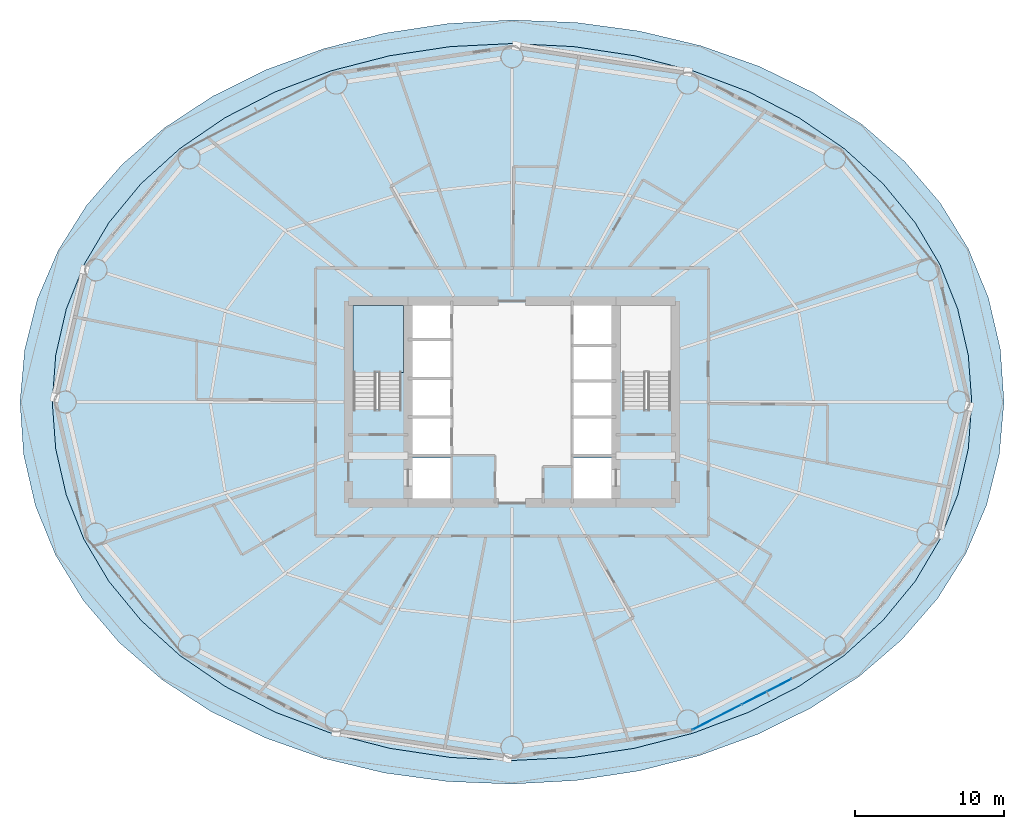
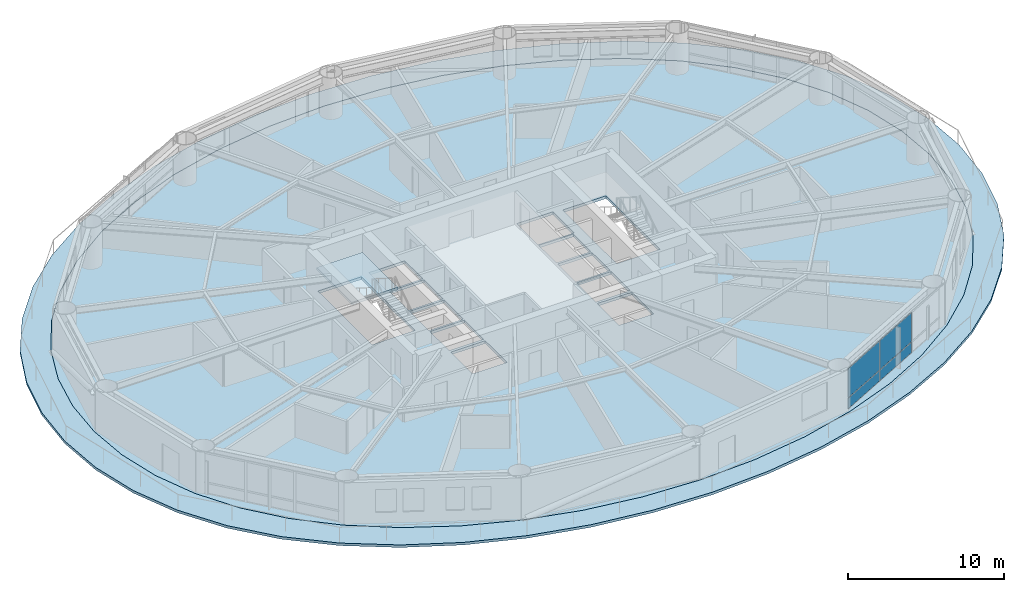
# One storey, part 17 of 27: 4 plates, 3 slabs, 2 elements without a shape of their own.
"""IFC4 building model written with IfcOpenShell, lengths in metres."""

from ifc_helpers import new_model, si_unit, direction, frame, origin, origin_2d, place, context, subcontext, project, spatial, polyline, rectangle, outline, extrude, material, layer, layer_set, type_object, element, aggregate, save


model = new_model("IFC4")

# Units and contexts
model_context = context("Model", 3, precision=1e-05, world=origin(), true_north=direction((0.0, 1.0)))
body_context = subcontext(model_context, "Body", "Model", "MODEL_VIEW")
ifc_project = project(units=[si_unit("LENGTHUNIT", "METRE"), si_unit("AREAUNIT", "SQUARE_METRE"), si_unit("VOLUMEUNIT", "CUBIC_METRE"), si_unit("PLANEANGLEUNIT", "RADIAN"), si_unit("MASSUNIT", "GRAM", prefix="KILO")], contexts=[model_context])

# Site, building, storey
site_placement = place(None, origin())
site = spatial("IfcSite", under=ifc_project, at=site_placement, CompositionType="ELEMENT")
building_placement = place(site_placement, origin())
building = spatial("IfcBuilding", under=site, at=building_placement, Name="Sarneth Arch Tower", CompositionType="ELEMENT")
storey_placement = place(building_placement, frame((0.0, 0.0, 75.0)))
storey = spatial("IfcBuildingStorey", under=building, at=storey_placement, Name="L18", CompositionType="ELEMENT", Elevation=75.0)

# Curtain wall, plates
ifc_material_1 = material(Name="Anodised aluminium Type AA25 and solar-control low-e laminated IGU", Category="aluminium")
ifc_layer_1 = layer(ifc_material_1, 0.159912109375)
ifc_layer_set_1 = layer_set([ifc_layer_1], Name="Anodised aluminium Type AA25 and solar-control low-e laminated IGU")
curtain_wall_type = type_object("IfcCurtainWallType", Name="CW-HOTEL-LOW", PredefinedType="NOTDEFINED", material=ifc_layer_set_1)
curtain_wall_placement = place(storey_placement, origin())
curtain_wall = element("IfcCurtainWall", 1, at=curtain_wall_placement, inside=storey, type_object=curtain_wall_type, Name="L18 Unitised curtain wall facet 14", PredefinedType="NOTDEFINED")
ifc_material_2 = material(Name="Solar-control low-e laminated IGU", Category="glass")
ifc_layer_2 = layer(ifc_material_2, 0.028076171875)
ifc_layer_set_2 = layer_set([ifc_layer_2], Name="Solar-control low-e laminated IGU")
plate_type = type_object("IfcPlateType", Name="CW-PANEL", PredefinedType="CURTAIN_PANEL", material=ifc_layer_set_2)
plate_1_placement = place(storey_placement, frame((61.77392578125, 20.807373046875, 0.06005859375), z_axis=(0.0, 0.0, 1.0), x_axis=(0.889854100456, 0.456245197127, 0.0)))
plate_1 = element("IfcPlate", 2, at=plate_1_placement, type_object=plate_type, Name="Curtain wall glazed vision pane CW-L18-F14/P00-00", PredefinedType="CURTAIN_PANEL", context=body_context, shape_type="SweptSolid", body=[
    extrude(rectangle(XDim=3.69189453125, YDim=0.028076171875, at=origin_2d()), origin(), (0.0, 0.0, 1.0), 0.81005859375),
])
plate_2_placement = place(storey_placement, frame((61.77392578125, 20.807373046875, 0.93017578125), z_axis=(0.0, 0.0, 1.0), x_axis=(0.889854100456, 0.456245197127, 0.0)))
plate_2 = element("IfcPlate", 3, at=plate_2_placement, type_object=plate_type, Name="Curtain wall glazed vision pane CW-L18-F14/P00-01", PredefinedType="CURTAIN_PANEL", context=body_context, shape_type="SweptSolid", body=[
    extrude(rectangle(XDim=3.69189453125, YDim=0.028076171875, at=origin_2d()), origin(), (0.0, 0.0, 1.0), 2.260009765625),
])
plate_3_placement = place(storey_placement, frame((65.1259765625, 22.526123046875, 0.06005859375), z_axis=(0.0, 0.0, 1.0), x_axis=(0.889854100456, 0.456245197127, 0.0)))
plate_3 = element("IfcPlate", 4, at=plate_3_placement, type_object=plate_type, Name="Curtain wall glazed vision pane CW-L18-F14/P01-00", PredefinedType="CURTAIN_PANEL", context=body_context, shape_type="SweptSolid", body=[
    extrude(rectangle(XDim=3.721923828125, YDim=0.028076171875, at=origin_2d()), origin(), (0.0, 0.0, 1.0), 0.81005859375),
])
plate_4_placement = place(storey_placement, frame((65.1259765625, 22.526123046875, 0.93017578125), z_axis=(0.0, 0.0, 1.0), x_axis=(0.889854100456, 0.456245197127, 0.0)))
plate_4 = element("IfcPlate", 5, at=plate_4_placement, type_object=plate_type, Name="Curtain wall glazed vision pane CW-L18-F14/P01-01", PredefinedType="CURTAIN_PANEL", context=body_context, shape_type="SweptSolid", body=[
    extrude(rectangle(XDim=3.721923828125, YDim=0.028076171875, at=origin_2d()), origin(), (0.0, 0.0, 1.0), 2.260009765625),
])
aggregate(curtain_wall, [plate_1, plate_2, plate_3, plate_4])

# Slab
ifc_material_3 = material(Name="Concrete C50/60", Category="concrete")
ifc_layer_3 = layer(ifc_material_3, 0.199951171875)
ifc_layer_set_3 = layer_set([ifc_layer_3], Name="Concrete C50/60")
slab_type_1 = type_object("IfcSlabType", Name="SLAB-BALC-200", PredefinedType="FLOOR", material=ifc_layer_set_3)
slab_1_placement = place(storey_placement, frame((0.0, 0.0, -0.199951171875)))
element("IfcSlab", 6, at=slab_1_placement, inside=storey, type_object=slab_type_1, Name="L18 Helical balcony band slab", PredefinedType="FLOOR", context=body_context, shape_type="SweptSolid", body=[
    extrude(outline(polyline([(81.07666015625, 42.0), (80.8349609375, 45.53125), (80.035400390625, 48.98681640625), (78.685791015625, 52.285888671875), (76.8017578125, 55.362548828125), (74.407958984375, 58.1650390625), (71.541748046875, 60.6533203125), (68.255126953125, 62.7958984375), (64.613525390625, 64.568603515625), (60.691650390625, 65.95361328125), (56.56640625, 66.938232421875), (52.3125, 67.515380859375), (48.0, 67.682861328125), (43.69482421875, 67.442138671875), (39.4619140625, 66.798583984375), (35.36865234375, 65.76123046875), (31.485107421875, 64.342529296875), (27.8828125, 62.557861328125), (24.629638671875, 60.425537109375), (21.784423828125, 57.96826171875), (19.3935546875, 55.21142578125), (17.490234375, 52.187744140625), (16.0986328125, 48.938232421875), (15.23779296875, 45.518310546875), (14.92333984375, 42.0), (15.1650390625, 38.46875), (15.964599609375, 35.01318359375), (17.314208984375, 31.714111328125), (19.1982421875, 28.637451171875), (21.592041015625, 25.8349609375), (24.458251953125, 23.3466796875), (27.744873046875, 21.2041015625), (31.386474609375, 19.431396484375), (35.308349609375, 18.04638671875), (39.43359375, 17.061767578125), (43.6875, 16.484619140625), (48.0, 16.317138671875), (52.30517578125, 16.557861328125), (56.5380859375, 17.201416015625), (60.63134765625, 18.23876953125), (64.514892578125, 19.657470703125), (68.1171875, 21.442138671875), (71.370361328125, 23.574462890625), (74.215576171875, 26.03173828125), (76.6064453125, 28.78857421875), (78.509765625, 31.812255859375), (79.9013671875, 35.061767578125), (80.76220703125, 38.481689453125), (81.07666015625, 42.0)]), holes=[polyline([(78.90966796875, 42.0), (78.675048828125, 45.145751953125), (77.9677734375, 48.237548828125), (76.780029296875, 51.22265625), (75.10595703125, 54.050048828125), (72.94873046875, 56.671142578125), (70.32861328125, 59.041259765625), (67.2841796875, 61.119873046875), (63.8720703125, 62.87109375), (60.162109375, 64.265380859375), (56.2294921875, 65.27880859375), (52.150634765625, 65.893798828125), (48.0, 66.10009765625), (43.849365234375, 65.893798828125), (39.7705078125, 65.27880859375), (35.837890625, 64.265380859375), (32.1279296875, 62.87109375), (28.7158203125, 61.119873046875), (25.67138671875, 59.041259765625), (23.05126953125, 56.671142578125), (20.89404296875, 54.050048828125), (19.219970703125, 51.22265625), (18.0322265625, 48.237548828125), (17.324951171875, 45.145751953125), (17.09033203125, 42.0), (17.324951171875, 38.854248046875), (18.0322265625, 35.762451171875), (19.219970703125, 32.77734375), (20.89404296875, 29.949951171875), (23.05126953125, 27.328857421875), (25.67138671875, 24.958740234375), (28.7158203125, 22.880126953125), (32.1279296875, 21.12890625), (35.837890625, 19.734619140625), (39.7705078125, 18.72119140625), (43.849365234375, 18.106201171875), (48.0, 17.89990234375), (52.150634765625, 18.106201171875), (56.2294921875, 18.72119140625), (60.162109375, 19.734619140625), (63.8720703125, 21.12890625), (67.2841796875, 22.880126953125), (70.32861328125, 24.958740234375), (72.94873046875, 27.328857421875), (75.10595703125, 29.949951171875), (76.780029296875, 32.77734375), (77.9677734375, 35.762451171875), (78.675048828125, 38.854248046875), (78.90966796875, 42.0)])]), origin(), (0.0, 0.0, 1.0), 0.199951171875),
])

# Stair, slab
ifc_material_4 = material(Name="Concrete C50/60", Category="concrete")
stair_type = type_object("IfcStairType", Name="STAIR-CORE-RC", PredefinedType="HALF_TURN_STAIR", material=ifc_material_4)
stair_placement = place(storey_placement, origin())
stair = element("IfcStair", 7, at=stair_placement, inside=storey, type_object=stair_type, Name="L18 Core Exit Stair 1", PredefinedType="HALF_TURN_STAIR")
ifc_material_5 = material(Name="Concrete C50/60", Category="concrete")
ifc_layer_4 = layer(ifc_material_5, 0.199951171875)
ifc_layer_set_4 = layer_set([ifc_layer_4], Name="Concrete C50/60")
slab_type_2 = type_object("IfcSlabType", Name="SLAB-LANDING-200", PredefinedType="LANDING", material=ifc_layer_set_4)
slab_2_placement = place(storey_placement, frame((0.0, 0.0, 1.60009765625)))
slab_2 = element("IfcSlab", 8, at=slab_2_placement, type_object=slab_type_2, Name="ST-1 landing 1", PredefinedType="LANDING", context=body_context, shape_type="SweptSolid", body=[
    extrude(outline(polyline([(37.300048828125, 43.985107421875), (40.699951171875, 43.985107421875), (40.699951171875, 48.5), (37.300048828125, 48.5), (37.300048828125, 43.985107421875)])), origin(), (0.0, 0.0, 1.0), 0.199951171875),
])
aggregate(stair, [slab_2])

# Slab
ifc_material_6 = material(Name="Concrete C50/60", Category="concrete")
ifc_layer_5 = layer(ifc_material_6, 0.219970703125)
ifc_layer_set_5 = layer_set([ifc_layer_5], Name="Concrete C50/60")
slab_type_3 = type_object("IfcSlabType", Name="SLAB-TOWER-220", PredefinedType="FLOOR", material=ifc_layer_set_5)
slab_3_placement = place(storey_placement, frame((0.0, 0.0, -0.219970703125)))
element("IfcSlab", 9, at=slab_3_placement, inside=storey, type_object=slab_type_3, Name="L18 Elliptical floor slab", PredefinedType="FLOOR", context=body_context, shape_type="SweptSolid", body=[
    extrude(outline(polyline([(78.90966796875, 42.0), (78.675048828125, 45.145751953125), (77.9677734375, 48.237548828125), (76.780029296875, 51.22265625), (75.10595703125, 54.050048828125), (72.94873046875, 56.671142578125), (70.32861328125, 59.041259765625), (67.2841796875, 61.119873046875), (63.8720703125, 62.87109375), (60.162109375, 64.265380859375), (56.2294921875, 65.27880859375), (52.150634765625, 65.893798828125), (48.0, 66.10009765625), (43.849365234375, 65.893798828125), (39.7705078125, 65.27880859375), (35.837890625, 64.265380859375), (32.1279296875, 62.87109375), (28.7158203125, 61.119873046875), (25.67138671875, 59.041259765625), (23.05126953125, 56.671142578125), (20.89404296875, 54.050048828125), (19.219970703125, 51.22265625), (18.0322265625, 48.237548828125), (17.324951171875, 45.145751953125), (17.09033203125, 42.0), (17.324951171875, 38.854248046875), (18.0322265625, 35.762451171875), (19.219970703125, 32.77734375), (20.89404296875, 29.949951171875), (23.05126953125, 27.328857421875), (25.67138671875, 24.958740234375), (28.7158203125, 22.880126953125), (32.1279296875, 21.12890625), (35.837890625, 19.734619140625), (39.7705078125, 18.72119140625), (43.849365234375, 18.106201171875), (48.0, 17.89990234375), (52.150634765625, 18.106201171875), (56.2294921875, 18.72119140625), (60.162109375, 19.734619140625), (63.8720703125, 21.12890625), (67.2841796875, 22.880126953125), (70.32861328125, 24.958740234375), (72.94873046875, 27.328857421875), (75.10595703125, 29.949951171875), (76.780029296875, 32.77734375), (77.9677734375, 35.762451171875), (78.675048828125, 38.854248046875), (78.90966796875, 42.0)]), holes=[polyline([(37.35009765625, 41.489990234375), (40.550048828125, 41.489990234375), (40.550048828125, 48.39990234375), (37.35009765625, 48.39990234375), (37.35009765625, 41.489990234375)]), polyline([(55.449951171875, 41.489990234375), (58.64990234375, 41.489990234375), (58.64990234375, 48.39990234375), (55.449951171875, 48.39990234375), (55.449951171875, 41.489990234375)]), polyline([(41.199951171875, 46.25), (43.85009765625, 46.25), (43.85009765625, 48.550048828125), (41.199951171875, 48.550048828125), (41.199951171875, 46.25)]), polyline([(41.300048828125, 35.449951171875), (43.85009765625, 35.449951171875), (43.85009765625, 38.25), (41.300048828125, 38.25), (41.300048828125, 35.449951171875)]), polyline([(52.14990234375, 35.449951171875), (54.699951171875, 35.449951171875), (54.699951171875, 38.25), (52.14990234375, 38.25), (52.14990234375, 35.449951171875)]), polyline([(52.14990234375, 45.85009765625), (54.800048828125, 45.85009765625), (54.800048828125, 48.550048828125), (52.14990234375, 48.550048828125), (52.14990234375, 45.85009765625)]), polyline([(41.300048828125, 38.449951171875), (43.85009765625, 38.449951171875), (43.85009765625, 40.89990234375), (41.300048828125, 40.89990234375), (41.300048828125, 38.449951171875)]), polyline([(41.300048828125, 41.050048828125), (43.85009765625, 41.050048828125), (43.85009765625, 43.5), (41.300048828125, 43.5), (41.300048828125, 41.050048828125)]), polyline([(41.300048828125, 43.64990234375), (43.85009765625, 43.64990234375), (43.85009765625, 46.10009765625), (41.300048828125, 46.10009765625), (41.300048828125, 43.64990234375)]), polyline([(52.14990234375, 38.449951171875), (54.699951171875, 38.449951171875), (54.699951171875, 40.89990234375), (52.14990234375, 40.89990234375), (52.14990234375, 38.449951171875)]), polyline([(52.14990234375, 41.050048828125), (54.699951171875, 41.050048828125), (54.699951171875, 43.35009765625), (52.14990234375, 43.35009765625), (52.14990234375, 41.050048828125)]), polyline([(52.14990234375, 43.5), (54.699951171875, 43.5), (54.699951171875, 45.75), (52.14990234375, 45.75), (52.14990234375, 43.5)])]), origin(), (0.0, 0.0, 1.0), 0.219970703125),
])

save(model, "model.ifc")
